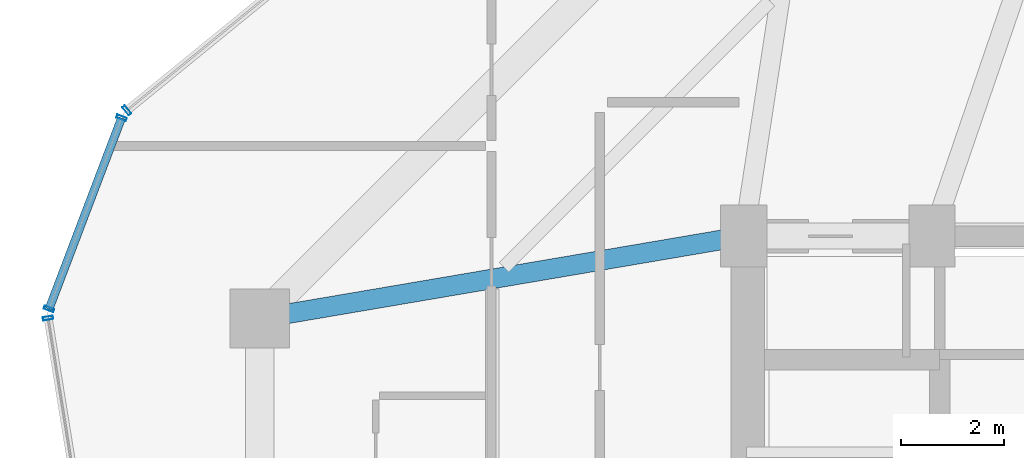
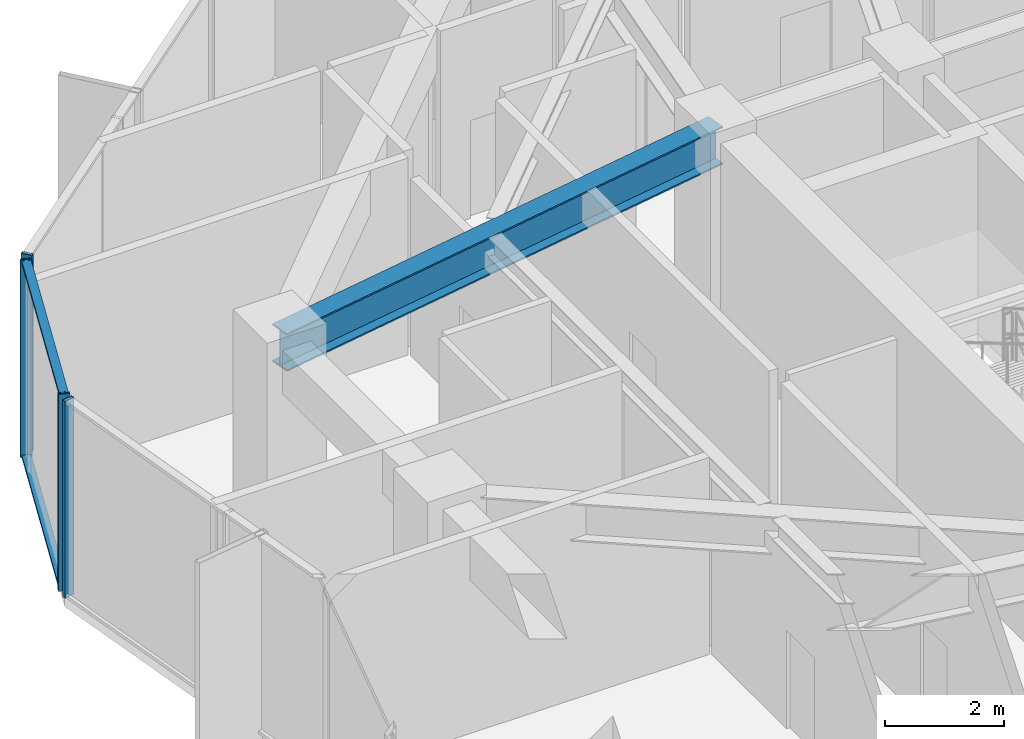
# One storey, part 10 of 26: 6 members, 1 beam, 3 elements without a shape of their own.
"""IFC4 building model written with IfcOpenShell, lengths in metres."""

import ifcopenshell
import ifcopenshell.guid

model = None  # the IFC model being written
_history = None  # IfcOwnerHistory: only IFC2X3 demands one
_inside = {}  # id of a spatial element -> (the spatial element, [elements in it])
_under = {}  # id of a project, library or spatial element -> (it, [spatial elements below it])
_declared = {}  # id of a project -> (the project, [libraries it declares])
_typed = {}  # id of a type object -> (the type object, [elements of that type])
_made_of = {}  # id of a material, layer set ... -> (it, [elements and type objects made of it])


def new_model(schema):
    """Start an empty IFC model of exactly this schema.

    Asked for "IFC4X3", IfcOpenShell would pick the latest addendum, in which some entities
    have other attributes; the version numbers below select the first issue.
    IFC2X3 requires an IfcOwnerHistory on every rooted entity: one is made here for all.
    """
    global model, _history
    if schema == "IFC4X3":
        model = ifcopenshell.file(schema_version=(4, 3, 0, 0))
    else:
        model = ifcopenshell.file(schema=schema)
    _inside.clear()
    _under.clear()
    _declared.clear()
    _typed.clear()
    _made_of.clear()
    _history = None
    if model.schema == "IFC2X3":
        org = make("IfcOrganization", Name="unknown")
        user = make(
            "IfcPersonAndOrganization",
            ThePerson=make("IfcPerson", FamilyName="unknown"),
            TheOrganization=org,
        )
        app = make(
            "IfcApplication",
            ApplicationDeveloper=org,
            Version="unknown",
            ApplicationFullName="unknown",
            ApplicationIdentifier="unknown",
        )
        _history = make(
            "IfcOwnerHistory",
            OwningUser=user,
            OwningApplication=app,
            ChangeAction="ADDED",
            CreationDate=0,
        )
    return model


def make(cls, **values):
    """One entity of the class cls with the attributes given. An attribute that is None is left unset."""
    return model.create_entity(
        cls, **{name: value for name, value in values.items() if value is not None}
    )


def rooted(cls, **values):
    """An entity with a GlobalId (a new one), such as an element, a storey or a relation."""
    return make(cls, GlobalId=ifcopenshell.guid.new(), OwnerHistory=_history, **values)


def si_unit(unit_type, name, prefix=None):
    """IfcSIUnit, for example si_unit("LENGTHUNIT", "METRE", prefix="MILLI")."""
    return make("IfcSIUnit", UnitType=unit_type, Prefix=prefix, Name=name)


def assignment(units):
    """IfcUnitAssignment: the units of a project."""
    return None if units is None else make("IfcUnitAssignment", Units=units)


def point(xyz):
    """IfcCartesianPoint."""
    return None if xyz is None else make("IfcCartesianPoint", Coordinates=xyz)


def direction(xyz):
    """IfcDirection."""
    return None if xyz is None else make("IfcDirection", DirectionRatios=xyz)


def frame(location, z_axis=None, x_axis=None):
    """IfcAxis2Placement3D, a coordinate frame: its origin and axes. An axis left out is left unset."""
    return make(
        "IfcAxis2Placement3D",
        Location=point(location),
        Axis=direction(z_axis),
        RefDirection=direction(x_axis),
    )


def frame_2d(location, x_axis=None):
    """IfcAxis2Placement2D, a coordinate frame in the plane: its origin and x axis."""
    return make(
        "IfcAxis2Placement2D", Location=point(location), RefDirection=direction(x_axis)
    )


def origin():
    """The frame at (0, 0, 0) with its axes left unset."""
    return frame((0.0, 0.0, 0.0))


def origin_2d():
    """The frame at (0, 0) in the plane with its x axis left unset."""
    return frame_2d((0.0, 0.0))


def place(relative_to, where):
    """IfcLocalPlacement: puts the frame where relative to a parent placement (None: the world)."""
    return make(
        "IfcLocalPlacement", PlacementRelTo=relative_to, RelativePlacement=where
    )


def context(
    kind, dimensions, precision=None, world=None, true_north=None, identifier=None
):
    """IfcGeometricRepresentationContext, for example the 3D "Model" context."""
    return make(
        "IfcGeometricRepresentationContext",
        ContextIdentifier=identifier,
        ContextType=kind,
        CoordinateSpaceDimension=dimensions,
        Precision=precision,
        WorldCoordinateSystem=world,
        TrueNorth=true_north,
    )


def subcontext(parent, identifier, kind, view, scale=None):
    """IfcGeometricRepresentationSubContext, for example "Body" below "Model"."""
    return make(
        "IfcGeometricRepresentationSubContext",
        ContextIdentifier=identifier,
        ContextType=kind,
        ParentContext=parent,
        TargetScale=scale,
        TargetView=view,
    )


def project(units=None, contexts=None):
    """IfcProject with its units and contexts."""
    return rooted(
        "IfcProject",
        Name="project",
        RepresentationContexts=contexts,
        UnitsInContext=assignment(units),
    )


def spatial(cls, under=None, at=None, **own):
    """A site, building, storey or space (cls), placed at a placement, below another one or the project."""
    s = rooted(cls, ObjectPlacement=at, **own)
    if under is not None:
        _under.setdefault(under.id(), (under, []))[1].append(s)
    return s


def profile(cls, at=None, kind="AREA", **sizes):
    """A parametric profile (cls). Its sizes go by their IFC names, for example OverallWidth=200.0."""
    return make(cls, ProfileType=kind, Position=at, **sizes)


def hollow_rectangle(**sizes):
    """IfcRectangleHollowProfileDef."""
    return profile("IfcRectangleHollowProfileDef", **sizes)


def i_section(**sizes):
    """IfcIShapeProfileDef."""
    return profile("IfcIShapeProfileDef", **sizes)


def extrude(swept, where, along, depth):
    """IfcExtrudedAreaSolid: the profile swept, set in the frame where, extruded along a direction by depth."""
    return make(
        "IfcExtrudedAreaSolid",
        SweptArea=swept,
        Position=where,
        ExtrudedDirection=direction(along),
        Depth=depth,
    )


def shape(context_of_items, identifier, shape_type, items):
    """IfcShapeRepresentation: the items that make up one representation, for example the "Body"."""
    return make(
        "IfcShapeRepresentation",
        ContextOfItems=context_of_items,
        RepresentationIdentifier=identifier,
        RepresentationType=shape_type,
        Items=items,
    )


def source(mapping_origin, context_of_items, identifier, shape_type, items):
    """IfcRepresentationMap: a shape defined once, which mapped items show again and again."""
    return make(
        "IfcRepresentationMap",
        MappingOrigin=mapping_origin,
        MappedRepresentation=shape(context_of_items, identifier, shape_type, items),
    )


def transform(
    local_origin,
    x_axis=None,
    y_axis=None,
    z_axis=None,
    scale=None,
    scale2=None,
    scale3=None,
    uniform=True,
):
    """IfcCartesianTransformationOperator3D, or its non-uniform kind. x_axis, y_axis, z_axis: its Axis1, 2, 3."""
    if uniform:
        return make(
            "IfcCartesianTransformationOperator3D",
            Axis1=direction(x_axis),
            Axis2=direction(y_axis),
            LocalOrigin=point(local_origin),
            Scale=scale,
            Axis3=direction(z_axis),
        )
    return make(
        "IfcCartesianTransformationOperator3DnonUniform",
        Axis1=direction(x_axis),
        Axis2=direction(y_axis),
        LocalOrigin=point(local_origin),
        Scale=scale,
        Axis3=direction(z_axis),
        Scale2=scale2,
        Scale3=scale3,
    )


def mapped(mapping_source, mapping_target):
    """IfcMappedItem: shows the shape of a source again, moved by a transform."""
    return make(
        "IfcMappedItem", MappingSource=mapping_source, MappingTarget=mapping_target
    )


def material(Name=None, Category=None):
    """IfcMaterial."""
    return make("IfcMaterial", Name=Name, Category=Category)


def layer(
    of_material, thickness, ventilated=None, Name=None, Category=None, Priority=None
):
    """IfcMaterialLayer: one layer of a wall or slab, of a material (None: an air gap)."""
    return make(
        "IfcMaterialLayer",
        Material=of_material,
        LayerThickness=thickness,
        IsVentilated=ventilated,
        Name=Name,
        Category=Category,
        Priority=Priority,
    )


def layer_set(layers, Name=None):
    """IfcMaterialLayerSet."""
    return make("IfcMaterialLayerSet", MaterialLayers=layers, LayerSetName=Name)


def material_profile(
    of_material, cross_section, Name=None, Category=None, Priority=None
):
    """IfcMaterialProfile: a cross section and its material."""
    return make(
        "IfcMaterialProfile",
        Name=Name,
        Material=of_material,
        Profile=cross_section,
        Priority=Priority,
        Category=Category,
    )


def profile_set(profiles, Name=None, composite=None):
    """IfcMaterialProfileSet."""
    return make(
        "IfcMaterialProfileSet",
        Name=Name,
        MaterialProfiles=profiles,
        CompositeProfile=composite,
    )


def made_of(thing, what):
    """Note that an element or type object is made of a material, layer set ...; save() writes the relation."""
    if what is not None:
        _made_of.setdefault(what.id(), (what, []))[1].append(thing)
    return thing


def type_object(cls, material=None, **own):
    """A type object (cls), such as IfcWallType, which elements share."""
    return made_of(rooted(cls, **own), material)


def element(
    cls,
    number,
    at=None,
    inside=None,
    cuts=None,
    type_object=None,
    material=None,
    context=None,
    identifier="Body",
    shape_type=None,
    held_by="IfcProductDefinitionShape",
    body=None,
    shapes=None,
    **own,
):
    """One element of the class cls, such as IfcWall. Its Tag is "e" and its number.

    at: its placement. inside: the storey or other place that contains it. cuts: it is an
    opening in that element (IfcRelVoidsElement). A single representation is given by context,
    identifier, shape_type and body (its items); several are given by shapes. held_by: the class
    of the entity that holds the representations. save() writes the other relations.
    """
    e = rooted(cls, Tag="e%d" % number, ObjectPlacement=at, **own)
    if body is not None:
        shapes = [shape(context, identifier, shape_type, body)]
    if shapes is not None:
        e.Representation = make(held_by, Representations=shapes)
    if inside is not None:
        _inside.setdefault(inside.id(), (inside, []))[1].append(e)
    if cuts is not None:
        rooted(
            "IfcRelVoidsElement", RelatingBuildingElement=cuts, RelatedOpeningElement=e
        )
    if type_object is not None:
        _typed.setdefault(type_object.id(), (type_object, []))[1].append(e)
    return made_of(e, material)


def aggregate(whole, parts):
    """IfcRelAggregates: a whole, such as a stair, and the parts it consists of."""
    return rooted("IfcRelAggregates", RelatingObject=whole, RelatedObjects=parts)


def save(model, path):
    """Write the relations noted so far, then the file.

    IfcRelAggregates (storeys below a building ...), IfcRelContainedInSpatialStructure (elements
    in a storey), IfcRelDefinesByType, IfcRelAssociatesMaterial and IfcRelDeclares: one each for
    every whole, place, type object, material and project.
    """
    for whole, parts in _under.values():
        aggregate(whole, parts)
    for where, things in _inside.values():
        rooted(
            "IfcRelContainedInSpatialStructure",
            RelatedElements=things,
            RelatingStructure=where,
        )
    for kind, things in _typed.values():
        rooted("IfcRelDefinesByType", RelatedObjects=things, RelatingType=kind)
    for what, things in _made_of.values():
        rooted("IfcRelAssociatesMaterial", RelatedObjects=things, RelatingMaterial=what)
    for by, libraries in _declared.values():
        rooted("IfcRelDeclares", RelatingContext=by, RelatedDefinitions=libraries)
    model.write(path)


model = new_model("IFC4")

# Units and contexts
model_context = context("Model", 3, precision=1e-05, world=origin(), true_north=direction((0.0, 1.0)))
body_context = subcontext(model_context, "Body", "Model", "MODEL_VIEW")
ifc_project = project(units=[si_unit("LENGTHUNIT", "METRE"), si_unit("AREAUNIT", "SQUARE_METRE"), si_unit("VOLUMEUNIT", "CUBIC_METRE"), si_unit("PLANEANGLEUNIT", "RADIAN"), si_unit("MASSUNIT", "GRAM", prefix="KILO")], contexts=[model_context])

# Site, building, storey
site_placement = place(None, origin())
site = spatial("IfcSite", under=ifc_project, at=site_placement, CompositionType="ELEMENT")
building_placement = place(site_placement, origin())
building = spatial("IfcBuilding", under=site, at=building_placement, Name="Veraguas Prism Commons", CompositionType="ELEMENT")
storey_placement = place(building_placement, frame((0.0, 0.0, 158.75)))
storey = spatial("IfcBuildingStorey", under=building, at=storey_placement, Name="L45", CompositionType="ELEMENT", Elevation=158.75)

# Beam
ifc_material_1 = material(Name="Steel ASTM A992 Grade 50", Category="steel")
ifc_material_profile_1 = material_profile(ifc_material_1, i_section(OverallWidth=0.382080078125, OverallDepth=0.779052734375, WebThickness=0.01806640625, FlangeThickness=0.030029296875, at=origin_2d()), Name="W760X284")
ifc_profile_set_1 = profile_set([ifc_material_profile_1], Name="Steel ASTM A992 Grade 50")
beam_type = type_object("IfcBeamType", Name="Assembly Primary Girder W760x284", PredefinedType="BEAM", material=ifc_profile_set_1)
beam_placement = place(storey_placement, frame((7.800048828125, 29.39990234375, 3.660400390625), z_axis=(0.985819187151, 0.1678109956, 0.0), x_axis=(-0.1678109956, 0.985819187151, 0.0)))
element("IfcBeam", 1, at=beam_placement, inside=storey, type_object=beam_type, Name="Radial Floor Girder L45-RD07", PredefinedType="BEAM", context=body_context, shape_type="SweptSolid", body=[
    extrude(i_section(OverallWidth=0.382080078125, OverallDepth=0.779052734375, WebThickness=0.01806640625, FlangeThickness=0.030029296875, at=origin_2d()), origin(), (0.0, 0.0, 1.0), 9.53515625),
])

# Curtain wall, member
ifc_material_2 = material(Name="Anodised aluminium EN AW-6063 T6", Category="aluminium")
ifc_layer = layer(ifc_material_2, 0.199951171875, Name="Sky Lobby and Pool Acoustic Curtain Wall", Category="aluminium")
ifc_layer_set = layer_set([ifc_layer], Name="Anodised aluminium EN AW-6063 T6")
curtain_wall_type = type_object("IfcCurtainWallType", Name="Sky Lobby and Pool Acoustic Curtain Wall", PredefinedType="NOTDEFINED", material=ifc_layer_set)
curtain_wall_1_placement = place(storey_placement, origin())
curtain_wall_1 = element("IfcCurtainWall", 2, at=curtain_wall_1_placement, inside=storey, type_object=curtain_wall_type, Name="Tower Facade Curtain Wall L45-F2", PredefinedType="NOTDEFINED")
ifc_material_profile_2 = material_profile(ifc_material_2, hollow_rectangle(XDim=0.06494140625, YDim=0.199951171875, WallThickness=0.00390625, at=origin_2d()), Name="AL65X200X4")
ifc_profile_set_2 = profile_set([ifc_material_profile_2], Name="Anodised aluminium EN AW-6063 T6")
member_type_1 = type_object("IfcMemberType", Name="Curtain Wall Mullion Heavy AL 65x200x4", PredefinedType="MULLION", material=ifc_profile_set_2)
shared_shape_1 = source(origin(), body_context, "Body", "SweptSolid", [
    extrude(hollow_rectangle(XDim=0.06494140625, YDim=0.199951171875, WallThickness=0.00390625, at=origin_2d()), origin(), (0.0, 0.0, 1.0), 4.050048828125),
])
member_1_placement = place(storey_placement, frame((5.223388671875, 33.439453125, 0.0), z_axis=(0.0, 0.0, 1.0), x_axis=(-0.774943385604, -0.632030655197, 0.0)))
member_1 = element("IfcMember", 3, at=member_1_placement, type_object=member_type_1, Name="CW-SKY Mullion 5", PredefinedType="MULLION", context=body_context, shape_type="MappedRepresentation", body=[
    mapped(shared_shape_1, transform((0.0, 0.0, 0.0), scale=1.0)),
])
aggregate(curtain_wall_1, [member_1])

curtain_wall_2_placement = place(storey_placement, origin())
curtain_wall_2 = element("IfcCurtainWall", 4, at=curtain_wall_2_placement, inside=storey, type_object=curtain_wall_type, Name="Tower Facade Curtain Wall L45-F3", PredefinedType="NOTDEFINED")
member_2_placement = place(storey_placement, frame((3.69189453125, 29.407470703125, 0.0), z_axis=(0.0, 0.0, 1.0), x_axis=(0.159877741935, -0.987136823158, 0.0)))
member_2 = element("IfcMember", 5, at=member_2_placement, type_object=member_type_1, Name="CW-SKY Mullion 1", PredefinedType="MULLION", context=body_context, shape_type="MappedRepresentation", body=[
    mapped(shared_shape_1, transform((0.0, 0.0, 0.0), scale=1.0)),
])
aggregate(curtain_wall_2, [member_2])

# Curtain wall, members
curtain_wall_3_placement = place(storey_placement, origin())
curtain_wall_3 = element("IfcCurtainWall", 6, at=curtain_wall_3_placement, inside=storey, type_object=curtain_wall_type, Name="Chamfer Curtain Wall L45-C3", PredefinedType="NOTDEFINED")
member_3_placement = place(storey_placement, frame((5.118896484375, 33.294677734375, 0.0), z_axis=(0.0, 0.0, 1.0), x_axis=(-0.355115120288, -0.934822577468, 0.0)))
member_3 = element("IfcMember", 7, at=member_3_placement, type_object=member_type_1, Name="CW-SKY Mullion 1", PredefinedType="MULLION", context=body_context, shape_type="MappedRepresentation", body=[
    mapped(shared_shape_1, transform((0.0, 0.0, 0.0), scale=1.0)),
])
member_4_placement = place(storey_placement, frame((3.7099609375, 29.585205078125, 0.0), z_axis=(0.0, 0.0, 1.0), x_axis=(-0.355115120288, -0.934822577468, 0.0)))
member_4 = element("IfcMember", 8, at=member_4_placement, type_object=member_type_1, Name="CW-SKY Mullion 2", PredefinedType="MULLION", context=body_context, shape_type="MappedRepresentation", body=[
    mapped(shared_shape_1, transform((0.0, 0.0, 0.0), scale=1.0)),
])
ifc_material_profile_3 = material_profile(ifc_material_2, hollow_rectangle(XDim=0.06005859375, YDim=0.159912109375, WallThickness=0.0029296875, at=origin_2d()), Name="AL60X160X3")
ifc_profile_set_3 = profile_set([ifc_material_profile_3], Name="Anodised aluminium EN AW-6063 T6")
member_type_2 = type_object("IfcMemberType", Name="Curtain Wall Transom Heavy AL 60x160x3", PredefinedType="USERDEFINED", material=ifc_profile_set_3)
shared_shape_2 = source(origin(), body_context, "Body", "SweptSolid", [
    extrude(hollow_rectangle(XDim=0.06005859375, YDim=0.159912109375, WallThickness=0.0029296875, at=origin_2d()), origin(), (0.0, 0.0, 1.0), 3.968017578125),
])
member_5_placement = place(storey_placement, frame((5.118896484375, 33.294677734375, 0.030029296875), z_axis=(-0.355071519765, -0.934839139024, 0.0), x_axis=(0.0, 0.0, 1.0)))
member_5 = element("IfcMember", 9, at=member_5_placement, type_object=member_type_2, Name="CW-SKY Transom 1", ObjectType="TRANSOM", PredefinedType="USERDEFINED", context=body_context, shape_type="MappedRepresentation", body=[
    mapped(shared_shape_2, transform((0.0, 0.0, 0.0), scale=1.0)),
])
member_6_placement = place(storey_placement, frame((5.118896484375, 33.294677734375, 4.02001953125), z_axis=(-0.355071519765, -0.934839139024, 0.0), x_axis=(0.0, 0.0, 1.0)))
member_6 = element("IfcMember", 10, at=member_6_placement, type_object=member_type_2, Name="CW-SKY Transom 2", ObjectType="TRANSOM", PredefinedType="USERDEFINED", context=body_context, shape_type="MappedRepresentation", body=[
    mapped(shared_shape_2, transform((0.0, 0.0, 0.0), scale=1.0)),
])
aggregate(curtain_wall_3, [member_3, member_4, member_5, member_6])

save(model, "model.ifc")
